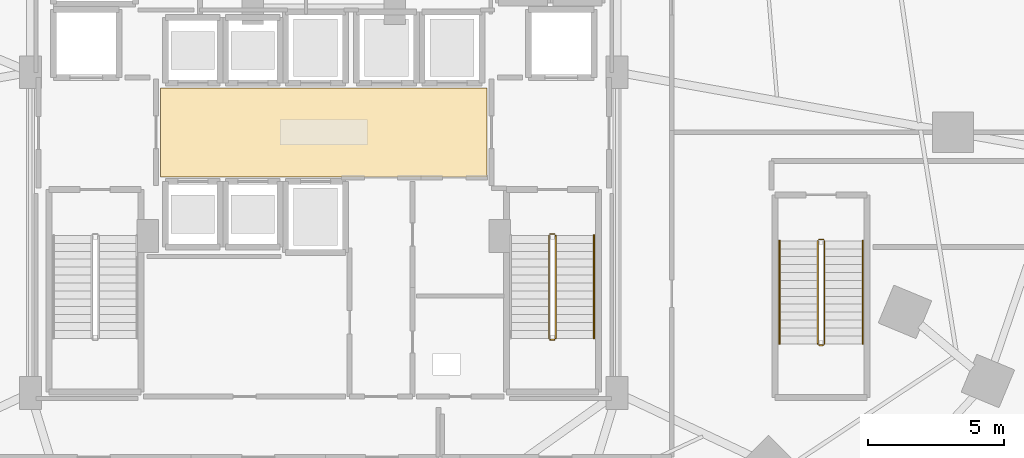
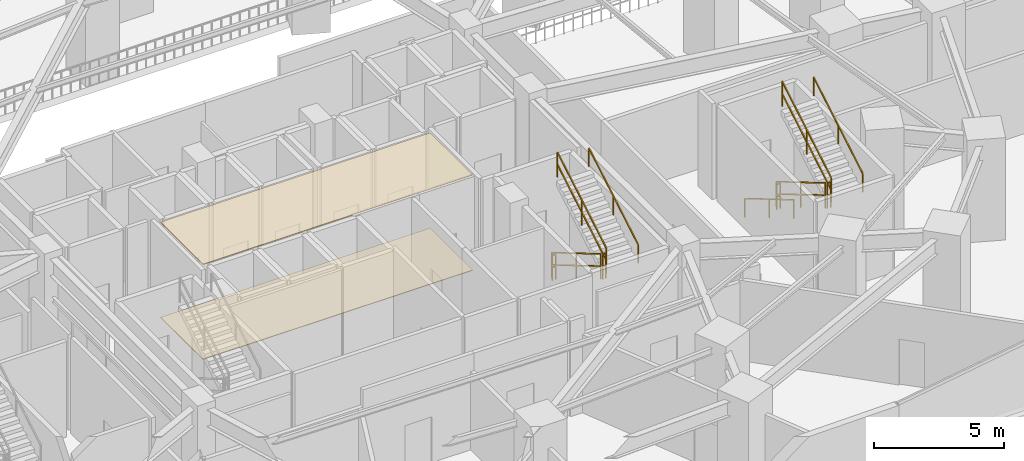
# One storey, part 34 of 36: 11 railings, 2 coverings.
"""IFC4 building model written with IfcOpenShell, lengths in metres."""

from ifc_helpers import new_model, si_unit, direction, frame, origin, origin_2d, place, context, subcontext, project, spatial, polyline, rectangle, outline, extrude, material, layer, layer_set, type_object, element, save


model = new_model("IFC4")

# Units and contexts
model_context = context("Model", 3, precision=1e-05, world=origin(), true_north=direction((0.0, 1.0)))
body_context = subcontext(model_context, "Body", "Model", "MODEL_VIEW")
ifc_project = project(units=[si_unit("LENGTHUNIT", "METRE"), si_unit("AREAUNIT", "SQUARE_METRE"), si_unit("VOLUMEUNIT", "CUBIC_METRE"), si_unit("PLANEANGLEUNIT", "RADIAN"), si_unit("MASSUNIT", "GRAM", prefix="KILO")], contexts=[model_context])

# Site, building, storey
site_placement = place(None, origin())
site = spatial("IfcSite", under=ifc_project, at=site_placement, CompositionType="ELEMENT")
building_placement = place(site_placement, origin())
building = spatial("IfcBuilding", under=site, at=building_placement, Name="Vorneva Point Tower", CompositionType="ELEMENT")
storey_placement = place(building_placement, origin())
storey = spatial("IfcBuildingStorey", under=building, at=storey_placement, Name="L00", CompositionType="ELEMENT", Elevation=0.0)

# Coverings
ifc_material_1 = material(Name="Perforated acoustic aluminium baffle ceiling", Category="aluminium")
ifc_layer_1 = layer(ifc_material_1, 0.030029296875)
ifc_layer_set_1 = layer_set([ifc_layer_1], Name="Perforated acoustic aluminium baffle ceiling")
covering_type_1 = type_object("IfcCoveringType", Name="COV-CEIL-BAF", PredefinedType="CEILING", material=ifc_layer_set_1)
covering_1_placement = place(storey_placement, frame((0.0, 0.0, 4.449951171875)))
element("IfcCovering", 1, at=covering_1_placement, inside=storey, type_object=covering_type_1, Name="L00 Lift Lobby Acoustic Baffle Ceiling", PredefinedType="CEILING", context=body_context, shape_type="SweptSolid", body=[
    extrude(outline(polyline([(32.02001953125, 24.3701171875), (43.97998046875, 24.3701171875), (43.97998046875, 27.6298828125), (32.02001953125, 27.6298828125), (32.02001953125, 24.3701171875)])), origin(), (0.0, 0.0, 1.0), 0.03515625),
])
ifc_material_2 = material(Name="Polished Ural granite terrazzo", Category="masonry")
ifc_layer_2 = layer(ifc_material_2, 0.02490234375)
ifc_layer_set_2 = layer_set([ifc_layer_2], Name="Polished Ural granite terrazzo")
covering_type_2 = type_object("IfcCoveringType", Name="COV-FLR-TRZ", PredefinedType="FLOORING", material=ifc_layer_set_2)
covering_2_placement = place(storey_placement, frame((0.0, 0.0, -0.0048828125)))
element("IfcCovering", 2, at=covering_2_placement, inside=storey, type_object=covering_type_2, Name="L00 Lift Lobby Floor Finish", PredefinedType="FLOORING", context=body_context, shape_type="SweptSolid", body=[
    extrude(outline(polyline([(32.02001953125, 24.3701171875), (43.97998046875, 24.3701171875), (43.97998046875, 27.6298828125), (32.02001953125, 27.6298828125), (32.02001953125, 24.3701171875)])), origin(), (0.0, 0.0, 1.0), 0.02978515625),
])

# Railings
ifc_material_3 = material(Name="Brushed stainless steel S304", Category="steel")
railing_type_1 = type_object("IfcRailingType", Name="RL-HND-920", PredefinedType="HANDRAIL", material=ifc_material_3)
railing_1_placement = place(storey_placement, frame((47.89990234375, 18.449951171875, 2.571533203125)))
element("IfcRailing", 3, at=railing_1_placement, inside=storey, type_object=railing_type_1, Name="L00 ST2 stair handrail 2", PredefinedType="HANDRAIL", context=body_context, shape_type="SweptSolid", body=[
    extrude(rectangle(XDim=0.048095703125, YDim=0.048095703125, at=origin_2d()), frame((0.0, 0.0, 0.8759765625), z_axis=(0.0, 0.860848830602, 0.508860777473), x_axis=(-1.0, 0.0, 0.0)), (0.0, 0.0, 1.0), 4.37939453125),
    extrude(rectangle(XDim=0.0419921875, YDim=0.0419921875, at=origin_2d()), origin(), (0.0, 0.0, 1.0), 0.851806640625),
    extrude(rectangle(XDim=0.0419921875, YDim=0.0419921875, at=origin_2d()), frame((0.0, 1.885009765625, 1.1142578125)), (0.0, 0.0, 1.0), 0.851806640625),
    extrude(rectangle(XDim=0.0419921875, YDim=0.0419921875, at=origin_2d()), frame((0.0, 3.77001953125, 2.228515625)), (0.0, 0.0, 1.0), 0.851806640625),
])
railing_2_placement = place(storey_placement, frame((54.699951171875, 22.02001953125, 0.17138671875)))
element("IfcRailing", 4, at=railing_2_placement, inside=storey, type_object=railing_type_1, Name="L00 ST4 stair handrail 1", PredefinedType="HANDRAIL", context=body_context, shape_type="SweptSolid", body=[
    extrude(rectangle(XDim=0.048095703125, YDim=0.048095703125, at=origin_2d()), frame((0.0, 0.0, 0.8759765625), z_axis=(0.0, -0.860848830602, 0.508860777473), x_axis=(1.0, 0.0, 0.0)), (0.0, 0.0, 1.0), 4.37939453125),
    extrude(rectangle(XDim=0.0419921875, YDim=0.0419921875, at=origin_2d()), origin(), (0.0, 0.0, 1.0), 0.851806640625),
    extrude(rectangle(XDim=0.0419921875, YDim=0.0419921875, at=origin_2d()), frame((0.0, -1.885009765625, 1.1142578125)), (0.0, 0.0, 1.0), 0.851806640625),
    extrude(rectangle(XDim=0.0419921875, YDim=0.0419921875, at=origin_2d()), frame((0.0, -3.77001953125, 2.228515625)), (0.0, 0.0, 1.0), 0.851806640625),
])
railing_3_placement = place(storey_placement, frame((57.75, 18.25, 2.571533203125)))
element("IfcRailing", 5, at=railing_3_placement, inside=storey, type_object=railing_type_1, Name="L00 ST4 stair handrail 2", PredefinedType="HANDRAIL", context=body_context, shape_type="SweptSolid", body=[
    extrude(rectangle(XDim=0.048095703125, YDim=0.048095703125, at=origin_2d()), frame((0.0, 0.0, 0.8759765625), z_axis=(0.0, 0.860848830602, 0.508860777473), x_axis=(-1.0, 0.0, 0.0)), (0.0, 0.0, 1.0), 4.37939453125),
    extrude(rectangle(XDim=0.0419921875, YDim=0.0419921875, at=origin_2d()), origin(), (0.0, 0.0, 1.0), 0.851806640625),
    extrude(rectangle(XDim=0.0419921875, YDim=0.0419921875, at=origin_2d()), frame((0.0, 1.885009765625, 1.1142578125)), (0.0, 0.0, 1.0), 0.851806640625),
    extrude(rectangle(XDim=0.0419921875, YDim=0.0419921875, at=origin_2d()), frame((0.0, 3.77001953125, 2.228515625)), (0.0, 0.0, 1.0), 0.851806640625),
])
railing_type_2 = type_object("IfcRailingType", Name="RL-STG-1100", PredefinedType="GUARDRAIL", material=ifc_material_3)
railing_4_placement = place(storey_placement, frame((46.25, 22.219970703125, 0.17138671875)))
element("IfcRailing", 6, at=railing_4_placement, inside=storey, type_object=railing_type_2, Name="L00 ST2 stair guard 1", PredefinedType="GUARDRAIL", context=body_context, shape_type="SweptSolid", body=[
    extrude(rectangle(XDim=0.048095703125, YDim=0.048095703125, at=origin_2d()), frame((0.0, 0.0, 1.17578125), z_axis=(0.0, -0.860848830602, 0.508860777473), x_axis=(1.0, 0.0, 0.0)), (0.0, 0.0, 1.0), 4.37939453125),
    extrude(rectangle(XDim=0.048095703125, YDim=0.048095703125, at=origin_2d()), frame((0.0, 0.0, 0.60009765625), z_axis=(0.0, -0.860848830602, 0.508860777473), x_axis=(1.0, 0.0, 0.0)), (0.0, 0.0, 1.0), 4.37939453125),
    extrude(rectangle(XDim=0.0419921875, YDim=0.0419921875, at=origin_2d()), origin(), (0.0, 0.0, 1.0), 1.15185546875),
    extrude(rectangle(XDim=0.0419921875, YDim=0.0419921875, at=origin_2d()), frame((0.0, -1.885009765625, 1.1142578125)), (0.0, 0.0, 1.0), 1.15185546875),
    extrude(rectangle(XDim=0.0419921875, YDim=0.0419921875, at=origin_2d()), frame((0.0, -3.77001953125, 2.228515625)), (0.0, 0.0, 1.0), 1.15185546875),
])
railing_5_placement = place(storey_placement, frame((46.300048828125, 18.39990234375, 2.39990234375)))
element("IfcRailing", 7, at=railing_5_placement, inside=storey, type_object=railing_type_2, Name="L00 ST2 stair guard 2", PredefinedType="GUARDRAIL", context=body_context, shape_type="SweptSolid", body=[
    extrude(rectangle(XDim=0.048095703125, YDim=0.048095703125, at=origin_2d()), frame((0.0, 0.0, 1.17578125), z_axis=(1.0, 0.0, 0.0), x_axis=(0.0, 1.0, 0.0)), (0.0, 0.0, 1.0), 0.14990234375),
    extrude(rectangle(XDim=0.048095703125, YDim=0.048095703125, at=origin_2d()), frame((0.0, 0.0, 0.60009765625), z_axis=(1.0, 0.0, 0.0), x_axis=(0.0, 1.0, 0.0)), (0.0, 0.0, 1.0), 0.14990234375),
    extrude(rectangle(XDim=0.0419921875, YDim=0.0419921875, at=origin_2d()), origin(), (0.0, 0.0, 1.0), 1.15185546875),
    extrude(rectangle(XDim=0.0419921875, YDim=0.0419921875, at=origin_2d()), frame((0.14990234375, 0.0, 0.0)), (0.0, 0.0, 1.0), 1.15185546875),
])
railing_6_placement = place(storey_placement, frame((46.5, 18.449951171875, 2.571533203125)))
element("IfcRailing", 8, at=railing_6_placement, inside=storey, type_object=railing_type_2, Name="L00 ST2 stair guard 3", PredefinedType="GUARDRAIL", context=body_context, shape_type="SweptSolid", body=[
    extrude(rectangle(XDim=0.048095703125, YDim=0.048095703125, at=origin_2d()), frame((0.0, 0.0, 1.17578125), z_axis=(0.0, 0.860848830602, 0.508860777473), x_axis=(-1.0, 0.0, 0.0)), (0.0, 0.0, 1.0), 4.37939453125),
    extrude(rectangle(XDim=0.048095703125, YDim=0.048095703125, at=origin_2d()), frame((0.0, 0.0, 0.60009765625), z_axis=(0.0, 0.860848830602, 0.508860777473), x_axis=(-1.0, 0.0, 0.0)), (0.0, 0.0, 1.0), 4.37939453125),
    extrude(rectangle(XDim=0.0419921875, YDim=0.0419921875, at=origin_2d()), origin(), (0.0, 0.0, 1.0), 1.15185546875),
    extrude(rectangle(XDim=0.0419921875, YDim=0.0419921875, at=origin_2d()), frame((0.0, 1.885009765625, 1.1142578125)), (0.0, 0.0, 1.0), 1.15185546875),
    extrude(rectangle(XDim=0.0419921875, YDim=0.0419921875, at=origin_2d()), frame((0.0, 3.77001953125, 2.228515625)), (0.0, 0.0, 1.0), 1.15185546875),
])
railing_7_placement = place(storey_placement, frame((46.300048828125, 22.27001953125, 0.0)))
element("IfcRailing", 9, at=railing_7_placement, inside=storey, type_object=railing_type_2, Name="L00 ST2 stair guard 4", PredefinedType="GUARDRAIL", context=body_context, shape_type="SweptSolid", body=[
    extrude(rectangle(XDim=0.048095703125, YDim=0.048095703125, at=origin_2d()), frame((0.0, 0.0, 1.17578125), z_axis=(1.0, 0.0, 0.0), x_axis=(0.0, 1.0, 0.0)), (0.0, 0.0, 1.0), 0.14990234375),
    extrude(rectangle(XDim=0.048095703125, YDim=0.048095703125, at=origin_2d()), frame((0.0, 0.0, 0.60009765625), z_axis=(1.0, 0.0, 0.0), x_axis=(0.0, 1.0, 0.0)), (0.0, 0.0, 1.0), 0.14990234375),
    extrude(rectangle(XDim=0.0419921875, YDim=0.0419921875, at=origin_2d()), origin(), (0.0, 0.0, 1.0), 1.15185546875),
    extrude(rectangle(XDim=0.0419921875, YDim=0.0419921875, at=origin_2d()), frame((0.14990234375, 0.0, 0.0)), (0.0, 0.0, 1.0), 1.15185546875),
])
railing_8_placement = place(storey_placement, frame((56.10009765625, 22.02001953125, 0.17138671875)))
element("IfcRailing", 10, at=railing_8_placement, inside=storey, type_object=railing_type_2, Name="L00 ST4 stair guard 1", PredefinedType="GUARDRAIL", context=body_context, shape_type="SweptSolid", body=[
    extrude(rectangle(XDim=0.048095703125, YDim=0.048095703125, at=origin_2d()), frame((0.0, 0.0, 1.17578125), z_axis=(0.0, -0.860848830602, 0.508860777473), x_axis=(1.0, 0.0, 0.0)), (0.0, 0.0, 1.0), 4.37939453125),
    extrude(rectangle(XDim=0.048095703125, YDim=0.048095703125, at=origin_2d()), frame((0.0, 0.0, 0.60009765625), z_axis=(0.0, -0.860848830602, 0.508860777473), x_axis=(1.0, 0.0, 0.0)), (0.0, 0.0, 1.0), 4.37939453125),
    extrude(rectangle(XDim=0.0419921875, YDim=0.0419921875, at=origin_2d()), origin(), (0.0, 0.0, 1.0), 1.15185546875),
    extrude(rectangle(XDim=0.0419921875, YDim=0.0419921875, at=origin_2d()), frame((0.0, -1.885009765625, 1.1142578125)), (0.0, 0.0, 1.0), 1.15185546875),
    extrude(rectangle(XDim=0.0419921875, YDim=0.0419921875, at=origin_2d()), frame((0.0, -3.77001953125, 2.228515625)), (0.0, 0.0, 1.0), 1.15185546875),
])
railing_9_placement = place(storey_placement, frame((56.14990234375, 18.199951171875, 2.39990234375)))
element("IfcRailing", 11, at=railing_9_placement, inside=storey, type_object=railing_type_2, Name="L00 ST4 stair guard 2", PredefinedType="GUARDRAIL", context=body_context, shape_type="SweptSolid", body=[
    extrude(rectangle(XDim=0.048095703125, YDim=0.048095703125, at=origin_2d()), frame((0.0, 0.0, 1.17578125), z_axis=(1.0, 0.0, 0.0), x_axis=(0.0, 1.0, 0.0)), (0.0, 0.0, 1.0), 0.150146484375),
    extrude(rectangle(XDim=0.048095703125, YDim=0.048095703125, at=origin_2d()), frame((0.0, 0.0, 0.60009765625), z_axis=(1.0, 0.0, 0.0), x_axis=(0.0, 1.0, 0.0)), (0.0, 0.0, 1.0), 0.150146484375),
    extrude(rectangle(XDim=0.0419921875, YDim=0.0419921875, at=origin_2d()), origin(), (0.0, 0.0, 1.0), 1.15185546875),
    extrude(rectangle(XDim=0.0419921875, YDim=0.0419921875, at=origin_2d()), frame((0.150146484375, 0.0, 0.0)), (0.0, 0.0, 1.0), 1.15185546875),
])
railing_10_placement = place(storey_placement, frame((56.35009765625, 18.25, 2.571533203125)))
element("IfcRailing", 12, at=railing_10_placement, inside=storey, type_object=railing_type_2, Name="L00 ST4 stair guard 3", PredefinedType="GUARDRAIL", context=body_context, shape_type="SweptSolid", body=[
    extrude(rectangle(XDim=0.048095703125, YDim=0.048095703125, at=origin_2d()), frame((0.0, 0.0, 1.17578125), z_axis=(0.0, 0.860848830602, 0.508860777473), x_axis=(-1.0, 0.0, 0.0)), (0.0, 0.0, 1.0), 4.37939453125),
    extrude(rectangle(XDim=0.048095703125, YDim=0.048095703125, at=origin_2d()), frame((0.0, 0.0, 0.60009765625), z_axis=(0.0, 0.860848830602, 0.508860777473), x_axis=(-1.0, 0.0, 0.0)), (0.0, 0.0, 1.0), 4.37939453125),
    extrude(rectangle(XDim=0.0419921875, YDim=0.0419921875, at=origin_2d()), origin(), (0.0, 0.0, 1.0), 1.15185546875),
    extrude(rectangle(XDim=0.0419921875, YDim=0.0419921875, at=origin_2d()), frame((0.0, 1.885009765625, 1.1142578125)), (0.0, 0.0, 1.0), 1.15185546875),
    extrude(rectangle(XDim=0.0419921875, YDim=0.0419921875, at=origin_2d()), frame((0.0, 3.77001953125, 2.228515625)), (0.0, 0.0, 1.0), 1.15185546875),
])
railing_11_placement = place(storey_placement, frame((56.14990234375, 22.070068359375, 0.0)))
element("IfcRailing", 13, at=railing_11_placement, inside=storey, type_object=railing_type_2, Name="L00 ST4 stair guard 4", PredefinedType="GUARDRAIL", context=body_context, shape_type="SweptSolid", body=[
    extrude(rectangle(XDim=0.048095703125, YDim=0.048095703125, at=origin_2d()), frame((0.0, 0.0, 1.17578125), z_axis=(1.0, 0.0, 0.0), x_axis=(0.0, 1.0, 0.0)), (0.0, 0.0, 1.0), 0.150146484375),
    extrude(rectangle(XDim=0.048095703125, YDim=0.048095703125, at=origin_2d()), frame((0.0, 0.0, 0.60009765625), z_axis=(1.0, 0.0, 0.0), x_axis=(0.0, 1.0, 0.0)), (0.0, 0.0, 1.0), 0.150146484375),
    extrude(rectangle(XDim=0.0419921875, YDim=0.0419921875, at=origin_2d()), origin(), (0.0, 0.0, 1.0), 1.15185546875),
    extrude(rectangle(XDim=0.0419921875, YDim=0.0419921875, at=origin_2d()), frame((0.150146484375, 0.0, 0.0)), (0.0, 0.0, 1.0), 1.15185546875),
])

save(model, "model.ifc")
